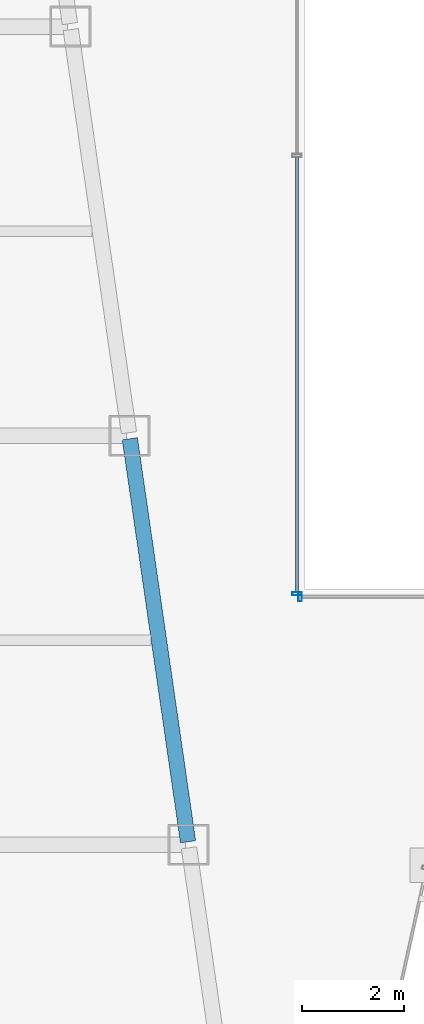
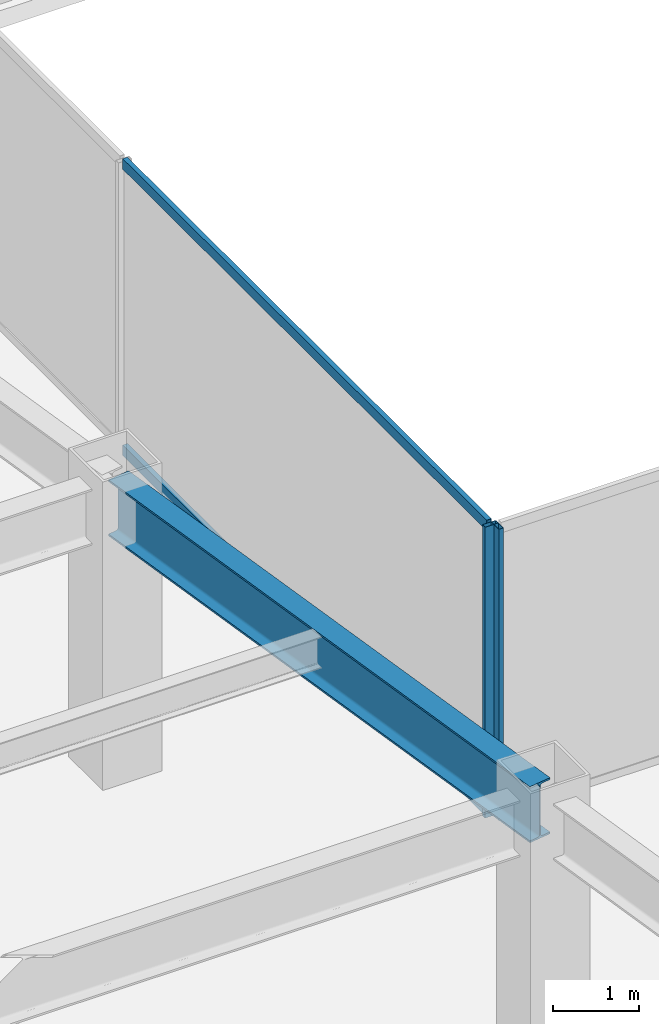
# One storey, part 12 of 47: 4 members, 1 beam, 2 elements without a shape of their own.
"""IFC4 building model written with IfcOpenShell, lengths in metres."""

from ifc_helpers import new_model, si_unit, direction, frame, origin, origin_2d, place, context, subcontext, project, spatial, hollow_rectangle, i_section, extrude, material, material_profile, profile_set, type_object, element, aggregate, save


model = new_model("IFC4")

# Units and contexts
model_context = context("Model", 3, precision=1e-05, world=origin(), true_north=direction((0.0, 1.0)))
body_context = subcontext(model_context, "Body", "Model", "MODEL_VIEW")
ifc_project = project(units=[si_unit("LENGTHUNIT", "METRE"), si_unit("AREAUNIT", "SQUARE_METRE"), si_unit("VOLUMEUNIT", "CUBIC_METRE"), si_unit("PLANEANGLEUNIT", "RADIAN"), si_unit("MASSUNIT", "GRAM", prefix="KILO")], contexts=[model_context])

# Site, building, storey
site_placement = place(None, origin())
site = spatial("IfcSite", under=ifc_project, at=site_placement, CompositionType="ELEMENT")
building_placement = place(site_placement, origin())
building = spatial("IfcBuilding", under=site, at=building_placement, Name="Saevonmaru Cultural Tower", CompositionType="ELEMENT")
storey_placement = place(building_placement, frame((0.0, 0.0, 56.0)))
storey = spatial("IfcBuildingStorey", under=building, at=storey_placement, Name="L11", CompositionType="ELEMENT", Elevation=56.0)

# Beam
ifc_material_1 = material(Name="Steel SM420", Category="steel")
ifc_material_profile_1 = material_profile(ifc_material_1, i_section(OverallWidth=0.300048828125, OverallDepth=0.800048828125, WebThickness=0.013916015625, FlangeThickness=0.02587890625, FilletRadius=0.028076171875, at=origin_2d()), Name="H-800x300x14x26")
ifc_profile_set_1 = profile_set([ifc_material_profile_1], Name="Steel SM420")
beam_type = type_object("IfcBeamType", Name="BM-G-H800", PredefinedType="BEAM", material=ifc_profile_set_1)
beam_placement = place(storey_placement, frame((21.91943359375, 16.059326171875, 3.75), z_axis=(-0.143022161059, 0.989719486241, 0.0), x_axis=(-0.989719486241, -0.143022161059, 0.0)))
element("IfcBeam", 1, at=beam_placement, inside=storey, type_object=beam_type, Name="L11 West Atrium Girder 3", PredefinedType="BEAM", context=body_context, shape_type="SweptSolid", body=[
    extrude(i_section(OverallWidth=0.300048828125, OverallDepth=0.800048828125, WebThickness=0.013916015625, FlangeThickness=0.02587890625, FilletRadius=0.028076171875, at=origin_2d()), origin(), (0.0, 0.0, 1.0), 7.963134765625),
])

# Curtain wall, member
ifc_material_2 = material(Name="Satin Bronze Anodised Aluminium", Category="aluminium")
curtain_wall_type = type_object("IfcCurtainWallType", Name="CW-ATR-GLZ", PredefinedType="NOTDEFINED", material=ifc_material_2)
curtain_wall_1_placement = place(storey_placement, origin())
curtain_wall_1 = element("IfcCurtainWall", 2, at=curtain_wall_1_placement, inside=storey, type_object=curtain_wall_type, Name="L11 Vertical Atrium Glazed Smoke Screen 1", PredefinedType="NOTDEFINED")
ifc_material_profile_2 = material_profile(ifc_material_2, hollow_rectangle(XDim=0.06494140625, YDim=0.179931640625, WallThickness=0.00390625, at=origin_2d()), Name="ALU-MULL-180x65x4")
ifc_profile_set_2 = profile_set([ifc_material_profile_2], Name="Satin Bronze Anodised Aluminium")
member_type_1 = type_object("IfcMemberType", Name="ML-CW-INT-180x65", PredefinedType="MULLION", material=ifc_profile_set_2)
member_1_placement = place(storey_placement, frame((24.110107421875, 20.85009765625, 0.0), z_axis=(0.0, 0.0, 1.0), x_axis=(1.0, 0.0, 0.0)))
member_1 = element("IfcMember", 3, at=member_1_placement, type_object=member_type_1, Name="CW-ATR-L11-1 mullion 1", PredefinedType="MULLION", context=body_context, shape_type="SweptSolid", body=[
    extrude(hollow_rectangle(XDim=0.06494140625, YDim=0.179931640625, WallThickness=0.00390625, at=origin_2d()), origin(), (0.0, 0.0, 1.0), 4.14990234375),
])
aggregate(curtain_wall_1, [member_1])

# Curtain wall, members
curtain_wall_2_placement = place(storey_placement, origin())
curtain_wall_2 = element("IfcCurtainWall", 4, at=curtain_wall_2_placement, inside=storey, type_object=curtain_wall_type, Name="L11 Vertical Atrium Glazed Smoke Screen 4", PredefinedType="NOTDEFINED")
member_2_placement = place(storey_placement, frame((24.050048828125, 20.909912109375, 0.0), z_axis=(0.0, 0.0, 1.0), x_axis=(0.0, -1.0, 0.0)))
member_2 = element("IfcMember", 5, at=member_2_placement, type_object=member_type_1, Name="CW-ATR-L11-4 mullion 3", PredefinedType="MULLION", context=body_context, shape_type="SweptSolid", body=[
    extrude(hollow_rectangle(XDim=0.06494140625, YDim=0.179931640625, WallThickness=0.00390625, at=origin_2d()), origin(), (0.0, 0.0, 1.0), 4.14990234375),
])
ifc_material_profile_3 = material_profile(ifc_material_2, hollow_rectangle(XDim=0.06494140625, YDim=0.14990234375, WallThickness=0.00390625, at=origin_2d()), Name="ALU-TRAN-150x65x4")
ifc_profile_set_3 = profile_set([ifc_material_profile_3], Name="Satin Bronze Anodised Aluminium")
member_type_2 = type_object("IfcMemberType", Name="TR-CW-INT-150x65", PredefinedType="USERDEFINED", material=ifc_profile_set_3)
member_3_placement = place(storey_placement, frame((24.050048828125, 29.447509765625, 0.032470703125), z_axis=(0.0, -1.0, 0.0), x_axis=(1.0, 0.0, 0.0)))
member_3 = element("IfcMember", 6, at=member_3_placement, type_object=member_type_2, Name="CW-ATR-L11-4 transom 2.1", ObjectType="TRANSOM", PredefinedType="USERDEFINED", context=body_context, shape_type="SweptSolid", body=[
    extrude(hollow_rectangle(XDim=0.06494140625, YDim=0.14990234375, WallThickness=0.00390625, at=origin_2d()), origin(), (0.0, 0.0, 1.0), 8.505126953125),
])
member_4_placement = place(storey_placement, frame((24.050048828125, 29.447509765625, 4.117431640625), z_axis=(0.0, -1.0, 0.0), x_axis=(1.0, 0.0, 0.0)))
member_4 = element("IfcMember", 7, at=member_4_placement, type_object=member_type_2, Name="CW-ATR-L11-4 transom 2.2", ObjectType="TRANSOM", PredefinedType="USERDEFINED", context=body_context, shape_type="SweptSolid", body=[
    extrude(hollow_rectangle(XDim=0.06494140625, YDim=0.14990234375, WallThickness=0.00390625, at=origin_2d()), origin(), (0.0, 0.0, 1.0), 8.505126953125),
])
aggregate(curtain_wall_2, [member_2, member_3, member_4])

save(model, "model.ifc")
